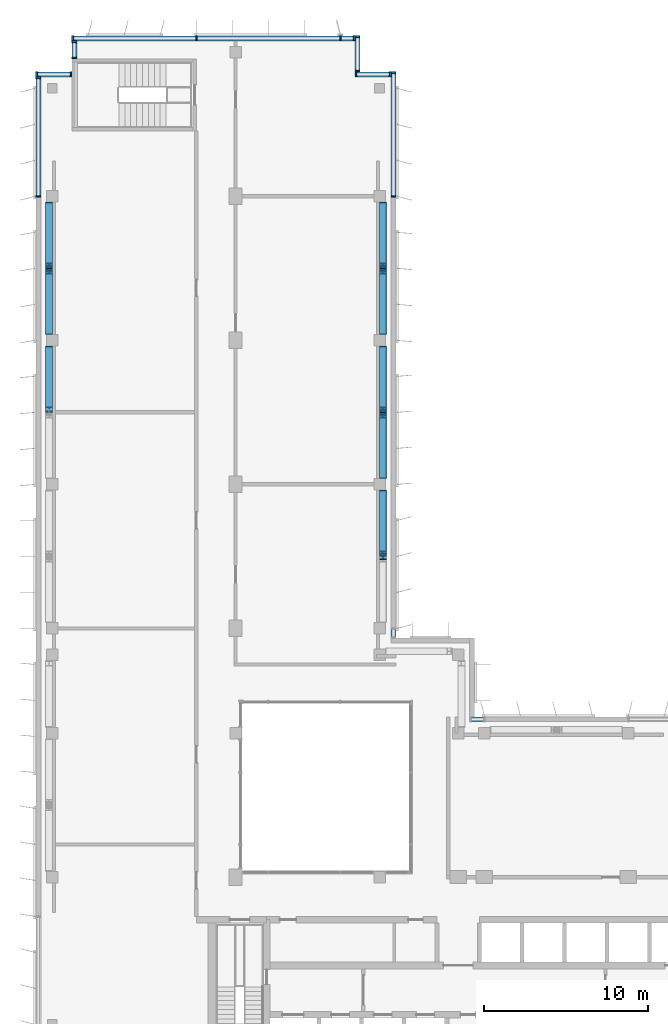
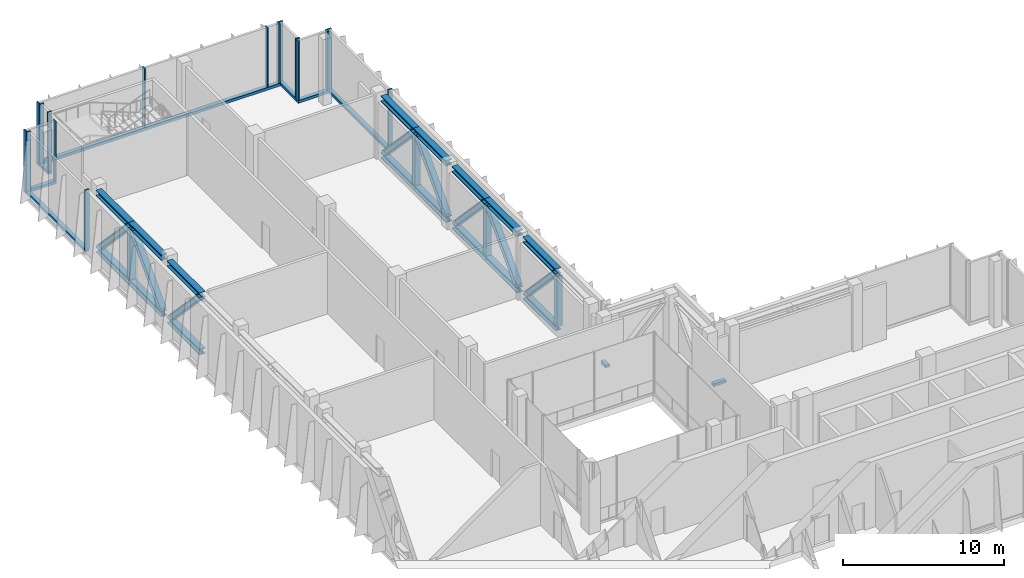
# One storey, part 6 of 14: 37 members, 16 beams, 9 elements without a shape of their own.
"""IFC4 building model written with IfcOpenShell, lengths in metres."""

from ifc_helpers import new_model, si_unit, direction, frame, origin, origin_2d, place, context, subcontext, project, spatial, rectangle, i_section, extrude, source, transform, mapped, material, material_profile, profile_set, type_object, element, aggregate, save


model = new_model("IFC4")

# Units and contexts
model_context = context("Model", 3, precision=1e-05, world=origin(), true_north=direction((0.0, 1.0)))
body_context = subcontext(model_context, "Body", "Model", "MODEL_VIEW")
ifc_project = project(units=[si_unit("LENGTHUNIT", "METRE"), si_unit("AREAUNIT", "SQUARE_METRE"), si_unit("VOLUMEUNIT", "CUBIC_METRE"), si_unit("PLANEANGLEUNIT", "RADIAN"), si_unit("MASSUNIT", "GRAM", prefix="KILO")], contexts=[model_context])

# Site, building, storey
site_placement = place(None, origin())
site = spatial("IfcSite", under=ifc_project, at=site_placement, CompositionType="ELEMENT")
building_placement = place(site_placement, origin())
building = spatial("IfcBuilding", under=site, at=building_placement, Name="Kemantara Hotel Tower", CompositionType="ELEMENT")
storey_placement = place(building_placement, frame((0.0, 0.0, 309.199951171875)))
storey = spatial("IfcBuildingStorey", under=building, at=storey_placement, Name="L78", CompositionType="ELEMENT", Elevation=309.199951171875)

# Curtain wall, member
ifc_material_1 = material(Name="Aluminium 6063-T6 bronze anodised", Category="aluminium")
curtain_wall_type = type_object("IfcCurtainWallType", Name="CROWN LOUVRE SCREEN WALL", PredefinedType="USERDEFINED", material=ifc_material_1)
curtain_wall_1_placement = place(storey_placement, origin())
curtain_wall_1 = element("IfcCurtainWall", 1, at=curtain_wall_1_placement, inside=storey, type_object=curtain_wall_type, Name="CW7 L78 CRN-R02-1", ObjectType="CROWN LOUVRE SCREEN WALL", PredefinedType="USERDEFINED")
ifc_material_profile_1 = material_profile(ifc_material_1, rectangle(XDim=0.300048828125, YDim=0.199951171875, at=origin_2d()), Name="CROWN LOUVRE SCREEN WALL TRANSOM")
ifc_profile_set_1 = profile_set([ifc_material_profile_1], Name="Aluminium 6063-T6 bronze anodised")
member_type_1 = type_object("IfcMemberType", Name="CROWN LOUVRE SCREEN WALL TRANSOM", PredefinedType="USERDEFINED", material=ifc_profile_set_1)
member_1_placement = place(storey_placement, frame((19.5, 63.449951171875, 0.10009765625), z_axis=(-1.0, 0.0, 0.0), x_axis=(0.0, -1.0, 0.0)))
member_1 = element("IfcMember", 2, at=member_1_placement, type_object=member_type_1, Name="CW7 sill transom CRN-R02-1", ObjectType="TRANSOM", PredefinedType="USERDEFINED", context=body_context, shape_type="SweptSolid", body=[
    extrude(rectangle(XDim=0.300048828125, YDim=0.199951171875, at=origin_2d()), origin(), (0.0, 0.0, 1.0), 17.300048828125),
])

curtain_wall_2_placement = place(storey_placement, origin())
curtain_wall_2 = element("IfcCurtainWall", 3, at=curtain_wall_2_placement, inside=storey, type_object=curtain_wall_type, Name="CW7 L78 CRN-R05-1", ObjectType="CROWN LOUVRE SCREEN WALL", PredefinedType="USERDEFINED")
member_2_placement = place(storey_placement, frame((0.14990234375, 61.10009765625, 0.10009765625), z_axis=(0.0, -1.0, 0.0), x_axis=(1.0, 0.0, 0.0)))
member_2 = element("IfcMember", 4, at=member_2_placement, type_object=member_type_1, Name="CW7 sill transom CRN-R05-1", ObjectType="TRANSOM", PredefinedType="USERDEFINED", context=body_context, shape_type="SweptSolid", body=[
    extrude(rectangle(XDim=0.300048828125, YDim=0.199951171875, at=origin_2d()), origin(), (0.0, 0.0, 1.0), 7.300048828125),
])

curtain_wall_3_placement = place(storey_placement, origin())
curtain_wall_3 = element("IfcCurtainWall", 5, at=curtain_wall_3_placement, inside=storey, type_object=curtain_wall_type, Name="CW7 L78 CRN-R12-2", ObjectType="CROWN LOUVRE SCREEN WALL", PredefinedType="USERDEFINED")
member_3_placement = place(storey_placement, frame((27.39990234375, 21.85009765625, 0.10009765625), z_axis=(-1.0, 0.0, 0.0), x_axis=(0.0, -1.0, 0.0)))
member_3 = element("IfcMember", 6, at=member_3_placement, type_object=member_type_1, Name="CW7 sill transom CRN-R12-2", ObjectType="TRANSOM", PredefinedType="USERDEFINED", context=body_context, shape_type="SweptSolid", body=[
    extrude(rectangle(XDim=0.300048828125, YDim=0.199951171875, at=origin_2d()), origin(), (0.0, 0.0, 1.0), 0.89990234375),
])
aggregate(curtain_wall_3, [member_3])

curtain_wall_4_placement = place(storey_placement, origin())
curtain_wall_4 = element("IfcCurtainWall", 7, at=curtain_wall_4_placement, inside=storey, type_object=curtain_wall_type, Name="CW7 L78 CRN-R15-1", ObjectType="CROWN LOUVRE SCREEN WALL", PredefinedType="USERDEFINED")
member_4_placement = place(storey_placement, frame((21.85009765625, 26.800048828125, 0.10009765625), z_axis=(0.0, 1.0, 0.0), x_axis=(-1.0, 0.0, 0.0)))
member_4 = element("IfcMember", 8, at=member_4_placement, type_object=member_type_1, Name="CW7 sill transom CRN-R15-1", ObjectType="TRANSOM", PredefinedType="USERDEFINED", context=body_context, shape_type="SweptSolid", body=[
    extrude(rectangle(XDim=0.300048828125, YDim=0.199951171875, at=origin_2d()), origin(), (0.0, 0.0, 1.0), 0.599853515625),
])
aggregate(curtain_wall_4, [member_4])

curtain_wall_5_placement = place(storey_placement, origin())
curtain_wall_5 = element("IfcCurtainWall", 9, at=curtain_wall_5_placement, inside=storey, type_object=curtain_wall_type, Name="CW7 L78 CRN-R15-2", ObjectType="CROWN LOUVRE SCREEN WALL", PredefinedType="USERDEFINED")
member_5_placement = place(storey_placement, frame((21.85009765625, 53.800048828125, 0.10009765625), z_axis=(0.0, 1.0, 0.0), x_axis=(-1.0, 0.0, 0.0)))
member_5 = element("IfcMember", 10, at=member_5_placement, type_object=member_type_1, Name="CW7 sill transom CRN-R15-2", ObjectType="TRANSOM", PredefinedType="USERDEFINED", context=body_context, shape_type="SweptSolid", body=[
    extrude(rectangle(XDim=0.300048828125, YDim=0.199951171875, at=origin_2d()), origin(), (0.0, 0.0, 1.0), 7.599853515625),
])

curtain_wall_6_placement = place(storey_placement, origin())
curtain_wall_6 = element("IfcCurtainWall", 11, at=curtain_wall_6_placement, inside=storey, type_object=curtain_wall_type, Name="CW7 L78 CRN-R00-1", ObjectType="CROWN LOUVRE SCREEN WALL", PredefinedType="USERDEFINED")
member_6_placement = place(storey_placement, frame((21.699951171875, 61.25, 0.10009765625), z_axis=(-1.0, 0.0, 0.0), x_axis=(0.0, -1.0, 0.0)))
member_6 = element("IfcMember", 12, at=member_6_placement, type_object=member_type_1, Name="CW7 sill transom CRN-R00-1", ObjectType="TRANSOM", PredefinedType="USERDEFINED", context=body_context, shape_type="SweptSolid", body=[
    extrude(rectangle(XDim=0.300048828125, YDim=0.199951171875, at=origin_2d()), origin(), (0.0, 0.0, 1.0), 2.199951171875),
])

curtain_wall_7_placement = place(storey_placement, origin())
curtain_wall_7 = element("IfcCurtainWall", 13, at=curtain_wall_7_placement, inside=storey, type_object=curtain_wall_type, Name="CW7 L78 CRN-R01-1", ObjectType="CROWN LOUVRE SCREEN WALL", PredefinedType="USERDEFINED")
member_7_placement = place(storey_placement, frame((19.64990234375, 61.39990234375, 0.10009765625), z_axis=(0.0, 1.0, 0.0), x_axis=(-1.0, 0.0, 0.0)))
member_7 = element("IfcMember", 14, at=member_7_placement, type_object=member_type_1, Name="CW7 sill transom CRN-R01-1", ObjectType="TRANSOM", PredefinedType="USERDEFINED", context=body_context, shape_type="SweptSolid", body=[
    extrude(rectangle(XDim=0.300048828125, YDim=0.199951171875, at=origin_2d()), origin(), (0.0, 0.0, 1.0), 2.2001953125),
])

curtain_wall_8_placement = place(storey_placement, origin())
curtain_wall_8 = element("IfcCurtainWall", 15, at=curtain_wall_8_placement, inside=storey, type_object=curtain_wall_type, Name="CW7 L78 CRN-R03-1", ObjectType="CROWN LOUVRE SCREEN WALL", PredefinedType="USERDEFINED")
member_8_placement = place(storey_placement, frame((2.35009765625, 63.300048828125, 0.10009765625), z_axis=(0.0, -1.0, 0.0), x_axis=(1.0, 0.0, 0.0)))
member_8 = element("IfcMember", 16, at=member_8_placement, type_object=member_type_1, Name="CW7 sill transom CRN-R03-1", ObjectType="TRANSOM", PredefinedType="USERDEFINED", context=body_context, shape_type="SweptSolid", body=[
    extrude(rectangle(XDim=0.300048828125, YDim=0.199951171875, at=origin_2d()), origin(), (0.0, 0.0, 1.0), 1.10009765625),
])

curtain_wall_9_placement = place(storey_placement, origin())
curtain_wall_9 = element("IfcCurtainWall", 17, at=curtain_wall_9_placement, inside=storey, type_object=curtain_wall_type, Name="CW7 L78 CRN-R04-1", ObjectType="CROWN LOUVRE SCREEN WALL", PredefinedType="USERDEFINED")
member_9_placement = place(storey_placement, frame((2.199951171875, 61.25, 0.10009765625), z_axis=(-1.0, 0.0, 0.0), x_axis=(0.0, -1.0, 0.0)))
member_9 = element("IfcMember", 18, at=member_9_placement, type_object=member_type_1, Name="CW7 sill transom CRN-R04-1", ObjectType="TRANSOM", PredefinedType="USERDEFINED", context=body_context, shape_type="SweptSolid", body=[
    extrude(rectangle(XDim=0.300048828125, YDim=0.199951171875, at=origin_2d()), origin(), (0.0, 0.0, 1.0), 2.199951171875),
])

# Beams
ifc_material_2 = material(Name="Steel ASTM A992 Grade 50", Category="steel")
ifc_material_profile_2 = material_profile(ifc_material_2, i_section(OverallWidth=0.410888671875, OverallDepth=0.43408203125, WebThickness=0.035888671875, FlangeThickness=0.057373046875, at=origin_2d()), Name="W360X463")
ifc_profile_set_2 = profile_set([ifc_material_profile_2], Name="Steel ASTM A992 Grade 50")
beam_type = type_object("IfcBeamType", Name="TOP L78 TRUSS CHORD W360X463", PredefinedType="BEAM", material=ifc_profile_set_2)
for number, where, z_axis, x_axis, name in (
    (19, (0.800048828125, 40.60009765625, 0.217041015625), (0.0, 1.0, 0.0), (-1.0, 0.0, 0.0), "TOP L78 BAY 5 bottom chord 2"),
    (20, (0.800048828125, 40.60009765625, 4.483154296875), (0.0, 1.0, 0.0), (-1.0, 0.0, 0.0), "TOP L78 BAY 5 top chord 2"),
    (21, (0.800048828125, 45.35009765625, 0.217041015625), (0.0, 1.0, 0.0), (-1.0, 0.0, 0.0), "TOP L78 BAY 6 bottom chord 1"),
):
    element("IfcBeam", number, at=place(storey_placement, frame(where, z_axis=z_axis, x_axis=x_axis)), inside=storey, type_object=beam_type, Name=name, PredefinedType="BEAM", context=body_context, shape_type="SweptSolid", body=[
        extrude(i_section(OverallWidth=0.410888671875, OverallDepth=0.43408203125, WebThickness=0.035888671875, FlangeThickness=0.057373046875, at=origin_2d()), origin(), (0.0, 0.0, 1.0), 4.0498046875),
    ])
beam_1_placement = place(storey_placement, frame((0.800048828125, 49.39990234375, 0.217041015625), z_axis=(0.0, 1.0, 0.0), x_axis=(-1.0, 0.0, 0.0)))
element("IfcBeam", 22, at=beam_1_placement, inside=storey, type_object=beam_type, Name="TOP L78 BAY 6 bottom chord 2", PredefinedType="BEAM", context=body_context, shape_type="SweptSolid", body=[
    extrude(i_section(OverallWidth=0.410888671875, OverallDepth=0.43408203125, WebThickness=0.035888671875, FlangeThickness=0.057373046875, at=origin_2d()), origin(), (0.0, 0.0, 1.0), 4.050048828125),
])
beam_2_placement = place(storey_placement, frame((0.800048828125, 45.35009765625, 4.483154296875), z_axis=(0.0, 1.0, 0.0), x_axis=(-1.0, 0.0, 0.0)))
element("IfcBeam", 23, at=beam_2_placement, inside=storey, type_object=beam_type, Name="TOP L78 BAY 6 top chord 1", PredefinedType="BEAM", context=body_context, shape_type="SweptSolid", body=[
    extrude(i_section(OverallWidth=0.410888671875, OverallDepth=0.43408203125, WebThickness=0.035888671875, FlangeThickness=0.057373046875, at=origin_2d()), origin(), (0.0, 0.0, 1.0), 4.0498046875),
])
for number, where, z_axis, x_axis, name in (
    (24, (0.800048828125, 49.39990234375, 4.483154296875), (0.0, 1.0, 0.0), (-1.0, 0.0, 0.0), "TOP L78 BAY 6 top chord 2"),
    (25, (21.199951171875, 31.800048828125, 0.217041015625), (0.0, 1.0, 0.0), (-1.0, 0.0, 0.0), "TOP L78 BAY 8 bottom chord 2"),
    (26, (21.199951171875, 31.800048828125, 4.483154296875), (0.0, 1.0, 0.0), (-1.0, 0.0, 0.0), "TOP L78 BAY 8 top chord 2"),
    (27, (21.199951171875, 36.550048828125, 0.217041015625), (0.0, 1.0, 0.0), (-1.0, 0.0, 0.0), "TOP L78 BAY 9 bottom chord 1"),
):
    element("IfcBeam", number, at=place(storey_placement, frame(where, z_axis=z_axis, x_axis=x_axis)), inside=storey, type_object=beam_type, Name=name, PredefinedType="BEAM", context=body_context, shape_type="SweptSolid", body=[
        extrude(i_section(OverallWidth=0.410888671875, OverallDepth=0.43408203125, WebThickness=0.035888671875, FlangeThickness=0.057373046875, at=origin_2d()), origin(), (0.0, 0.0, 1.0), 4.050048828125),
    ])
beam_3_placement = place(storey_placement, frame((21.199951171875, 40.60009765625, 0.217041015625), z_axis=(0.0, 1.0, 0.0), x_axis=(-1.0, 0.0, 0.0)))
element("IfcBeam", 28, at=beam_3_placement, inside=storey, type_object=beam_type, Name="TOP L78 BAY 9 bottom chord 2", PredefinedType="BEAM", context=body_context, shape_type="SweptSolid", body=[
    extrude(i_section(OverallWidth=0.410888671875, OverallDepth=0.43408203125, WebThickness=0.035888671875, FlangeThickness=0.057373046875, at=origin_2d()), origin(), (0.0, 0.0, 1.0), 4.0498046875),
])
beam_4_placement = place(storey_placement, frame((21.199951171875, 36.550048828125, 4.483154296875), z_axis=(0.0, 1.0, 0.0), x_axis=(-1.0, 0.0, 0.0)))
element("IfcBeam", 29, at=beam_4_placement, inside=storey, type_object=beam_type, Name="TOP L78 BAY 9 top chord 1", PredefinedType="BEAM", context=body_context, shape_type="SweptSolid", body=[
    extrude(i_section(OverallWidth=0.410888671875, OverallDepth=0.43408203125, WebThickness=0.035888671875, FlangeThickness=0.057373046875, at=origin_2d()), origin(), (0.0, 0.0, 1.0), 4.050048828125),
])
for number, where, z_axis, x_axis, name in (
    (30, (21.199951171875, 40.60009765625, 4.483154296875), (0.0, 1.0, 0.0), (-1.0, 0.0, 0.0), "TOP L78 BAY 9 top chord 2"),
    (31, (21.199951171875, 45.35009765625, 0.217041015625), (0.0, 1.0, 0.0), (-1.0, 0.0, 0.0), "TOP L78 BAY 10 bottom chord 1"),
):
    element("IfcBeam", number, at=place(storey_placement, frame(where, z_axis=z_axis, x_axis=x_axis)), inside=storey, type_object=beam_type, Name=name, PredefinedType="BEAM", context=body_context, shape_type="SweptSolid", body=[
        extrude(i_section(OverallWidth=0.410888671875, OverallDepth=0.43408203125, WebThickness=0.035888671875, FlangeThickness=0.057373046875, at=origin_2d()), origin(), (0.0, 0.0, 1.0), 4.0498046875),
    ])
beam_5_placement = place(storey_placement, frame((21.199951171875, 49.39990234375, 0.217041015625), z_axis=(0.0, 1.0, 0.0), x_axis=(-1.0, 0.0, 0.0)))
element("IfcBeam", 32, at=beam_5_placement, inside=storey, type_object=beam_type, Name="TOP L78 BAY 10 bottom chord 2", PredefinedType="BEAM", context=body_context, shape_type="SweptSolid", body=[
    extrude(i_section(OverallWidth=0.410888671875, OverallDepth=0.43408203125, WebThickness=0.035888671875, FlangeThickness=0.057373046875, at=origin_2d()), origin(), (0.0, 0.0, 1.0), 4.050048828125),
])
beam_6_placement = place(storey_placement, frame((21.199951171875, 45.35009765625, 4.483154296875), z_axis=(0.0, 1.0, 0.0), x_axis=(-1.0, 0.0, 0.0)))
element("IfcBeam", 33, at=beam_6_placement, inside=storey, type_object=beam_type, Name="TOP L78 BAY 10 top chord 1", PredefinedType="BEAM", context=body_context, shape_type="SweptSolid", body=[
    extrude(i_section(OverallWidth=0.410888671875, OverallDepth=0.43408203125, WebThickness=0.035888671875, FlangeThickness=0.057373046875, at=origin_2d()), origin(), (0.0, 0.0, 1.0), 4.0498046875),
])
beam_7_placement = place(storey_placement, frame((21.199951171875, 49.39990234375, 4.483154296875), z_axis=(0.0, 1.0, 0.0), x_axis=(-1.0, 0.0, 0.0)))
element("IfcBeam", 34, at=beam_7_placement, inside=storey, type_object=beam_type, Name="TOP L78 BAY 10 top chord 2", PredefinedType="BEAM", context=body_context, shape_type="SweptSolid", body=[
    extrude(i_section(OverallWidth=0.410888671875, OverallDepth=0.43408203125, WebThickness=0.035888671875, FlangeThickness=0.057373046875, at=origin_2d()), origin(), (0.0, 0.0, 1.0), 4.050048828125),
])

# Members
ifc_material_profile_3 = material_profile(ifc_material_2, i_section(OverallWidth=0.404052734375, OverallDepth=0.406005859375, WebThickness=0.027099609375, FlangeThickness=0.043701171875, at=origin_2d()), Name="W360X347")
ifc_profile_set_3 = profile_set([ifc_material_profile_3], Name="Steel ASTM A992 Grade 50")
member_type_2 = type_object("IfcMemberType", Name="TOP L78 TRUSS DIAGONAL W360X347", PredefinedType="BRACE", material=ifc_profile_set_3)
for number, where, z_axis, x_axis, name in (
    (35, (0.800048828125, 44.458984375, 0.418212890625), (0.0, -0.688514566613, 0.725222511758), (1.0, 0.0, 0.0), "TOP L78 BAY 5 diagonal 2"),
    (36, (0.800048828125, 45.541015625, 0.418212890625), (0.0, 0.688514566613, 0.725222511758), (-1.0, 0.0, 0.0), "TOP L78 BAY 6 diagonal 1"),
    (37, (0.800048828125, 53.259033203125, 0.418212890625), (0.0, -0.688514566613, 0.725222511758), (1.0, 0.0, 0.0), "TOP L78 BAY 6 diagonal 2"),
    (38, (21.199951171875, 35.658935546875, 0.418212890625), (0.0, -0.688514566613, 0.725222511758), (1.0, 0.0, 0.0), "TOP L78 BAY 8 diagonal 2"),
    (39, (21.199951171875, 36.740966796875, 0.418212890625), (0.0, 0.688514566613, 0.725222511758), (-1.0, 0.0, 0.0), "TOP L78 BAY 9 diagonal 1"),
    (40, (21.199951171875, 44.458984375, 0.418212890625), (0.0, -0.688514566613, 0.725222511758), (1.0, 0.0, 0.0), "TOP L78 BAY 9 diagonal 2"),
    (41, (21.199951171875, 45.541015625, 0.418212890625), (0.0, 0.688514566613, 0.725222511758), (-1.0, 0.0, 0.0), "TOP L78 BAY 10 diagonal 1"),
    (42, (21.199951171875, 53.259033203125, 0.418212890625), (0.0, -0.688514566613, 0.725222511758), (1.0, 0.0, 0.0), "TOP L78 BAY 10 diagonal 2"),
):
    element("IfcMember", number, at=place(storey_placement, frame(where, z_axis=z_axis, x_axis=x_axis)), inside=storey, type_object=member_type_2, Name=name, PredefinedType="BRACE", context=body_context, shape_type="SweptSolid", body=[
        extrude(i_section(OverallWidth=0.404052734375, OverallDepth=0.406005859375, WebThickness=0.027099609375, FlangeThickness=0.043701171875, at=origin_2d()), origin(), (0.0, 0.0, 1.0), 5.327392578125),
    ])
ifc_material_profile_4 = material_profile(ifc_material_2, i_section(OverallWidth=0.39892578125, OverallDepth=0.385986328125, WebThickness=0.02099609375, FlangeThickness=0.033203125, at=origin_2d()), Name="W360X262")
ifc_profile_set_4 = profile_set([ifc_material_profile_4], Name="Steel ASTM A992 Grade 50")
member_type_3 = type_object("IfcMemberType", Name="TOP L78 TRUSS POST W360X262", PredefinedType="POST", material=ifc_profile_set_4)
for number, where, z_axis, x_axis, name in (
    (43, (0.800048828125, 49.39990234375, 0.43408203125), (0.0, 0.0, 1.0), (1.0, 0.0, 0.0), "TOP L78 BAY 6 post 2"),
    (44, (21.199951171875, 31.800048828125, 0.43408203125), (0.0, 0.0, 1.0), (1.0, 0.0, 0.0), "TOP L78 BAY 8 post 2"),
    (45, (21.199951171875, 40.60009765625, 0.43408203125), (0.0, 0.0, 1.0), (1.0, 0.0, 0.0), "TOP L78 BAY 9 post 2"),
    (46, (21.199951171875, 49.39990234375, 0.43408203125), (0.0, 0.0, 1.0), (1.0, 0.0, 0.0), "TOP L78 BAY 10 post 2"),
):
    element("IfcMember", number, at=place(storey_placement, frame(where, z_axis=z_axis, x_axis=x_axis)), inside=storey, type_object=member_type_3, Name=name, PredefinedType="POST", context=body_context, shape_type="SweptSolid", body=[
        extrude(i_section(OverallWidth=0.39892578125, OverallDepth=0.385986328125, WebThickness=0.02099609375, FlangeThickness=0.033203125, at=origin_2d()), origin(), (0.0, 0.0, 1.0), 3.83203125),
    ])

# Member
ifc_material_profile_5 = material_profile(ifc_material_1, rectangle(XDim=0.300048828125, YDim=0.10009765625, at=origin_2d()), Name="CROWN LOUVRE SCREEN WALL MULLION")
ifc_profile_set_5 = profile_set([ifc_material_profile_5], Name="Aluminium 6063-T6 bronze anodised")
member_type_4 = type_object("IfcMemberType", Name="CROWN LOUVRE SCREEN WALL MULLION", PredefinedType="MULLION", material=ifc_profile_set_5)
shared_shape = source(origin(), body_context, "Body", "SweptSolid", [
    extrude(rectangle(XDim=0.300048828125, YDim=0.10009765625, at=origin_2d()), origin(), (0.0, 0.0, 1.0), 4.5),
])
member_10_placement = place(storey_placement, frame((19.449951171875, 63.449951171875, 0.199951171875), z_axis=(0.0, 0.0, 1.0), x_axis=(0.0, -1.0, 0.0)))
member_10 = element("IfcMember", 47, at=member_10_placement, type_object=member_type_4, Name="CW7 mullion CRN-R02-1.1", PredefinedType="MULLION", context=body_context, shape_type="MappedRepresentation", body=[
    mapped(shared_shape, transform((0.0, 0.0, 0.0))),
])

member_11_placement = place(storey_placement, frame((18.60009765625, 63.449951171875, 0.199951171875), z_axis=(0.0, 0.0, 1.0), x_axis=(0.0, -1.0, 0.0)))
member_11 = element("IfcMember", 48, at=member_11_placement, type_object=member_type_4, Name="CW7 mullion CRN-R02-1.2", PredefinedType="MULLION", context=body_context, shape_type="MappedRepresentation", body=[
    mapped(shared_shape, transform((0.0, 0.0, 0.0))),
])

member_12_placement = place(storey_placement, frame((9.800048828125, 63.449951171875, 0.199951171875), z_axis=(0.0, 0.0, 1.0), x_axis=(0.0, -1.0, 0.0)))
member_12 = element("IfcMember", 49, at=member_12_placement, type_object=member_type_4, Name="CW7 mullion CRN-R02-1.3", PredefinedType="MULLION", context=body_context, shape_type="MappedRepresentation", body=[
    mapped(shared_shape, transform((0.0, 0.0, 0.0))),
])

member_13_placement = place(storey_placement, frame((2.25, 63.449951171875, 0.199951171875), z_axis=(0.0, 0.0, 1.0), x_axis=(0.0, -1.0, 0.0)))
member_13 = element("IfcMember", 50, at=member_13_placement, type_object=member_type_4, Name="CW7 mullion CRN-R02-1.4", PredefinedType="MULLION", context=body_context, shape_type="MappedRepresentation", body=[
    mapped(shared_shape, transform((0.0, 0.0, 0.0))),
])

aggregate(curtain_wall_1, [member_1, member_10, member_11, member_12, member_13])

member_14_placement = place(storey_placement, frame((0.14990234375, 61.050048828125, 0.199951171875), z_axis=(0.0, 0.0, 1.0), x_axis=(1.0, 0.0, 0.0)))
member_14 = element("IfcMember", 51, at=member_14_placement, type_object=member_type_4, Name="CW7 mullion CRN-R05-1.1", PredefinedType="MULLION", context=body_context, shape_type="MappedRepresentation", body=[
    mapped(shared_shape, transform((0.0, 0.0, 0.0))),
])

member_15_placement = place(storey_placement, frame((0.14990234375, 53.800048828125, 0.199951171875), z_axis=(0.0, 0.0, 1.0), x_axis=(1.0, 0.0, 0.0)))
member_15 = element("IfcMember", 52, at=member_15_placement, type_object=member_type_4, Name="CW7 mullion CRN-R05-1.2", PredefinedType="MULLION", context=body_context, shape_type="MappedRepresentation", body=[
    mapped(shared_shape, transform((0.0, 0.0, 0.0))),
])

aggregate(curtain_wall_2, [member_2, member_14, member_15])

member_16_placement = place(storey_placement, frame((21.85009765625, 53.800048828125, 0.199951171875), z_axis=(0.0, 0.0, 1.0), x_axis=(-1.0, 0.0, 0.0)))
member_16 = element("IfcMember", 53, at=member_16_placement, type_object=member_type_4, Name="CW7 mullion CRN-R15-2.1", PredefinedType="MULLION", context=body_context, shape_type="MappedRepresentation", body=[
    mapped(shared_shape, transform((0.0, 0.0, 0.0))),
])

member_17_placement = place(storey_placement, frame((21.85009765625, 61.35009765625, 0.199951171875), z_axis=(0.0, 0.0, 1.0), x_axis=(-1.0, 0.0, 0.0)))
member_17 = element("IfcMember", 54, at=member_17_placement, type_object=member_type_4, Name="CW7 mullion CRN-R15-2.2", PredefinedType="MULLION", context=body_context, shape_type="MappedRepresentation", body=[
    mapped(shared_shape, transform((0.0, 0.0, 0.0))),
])

aggregate(curtain_wall_5, [member_5, member_16, member_17])

member_18_placement = place(storey_placement, frame((21.64990234375, 61.25, 0.199951171875), z_axis=(0.0, 0.0, 1.0), x_axis=(0.0, -1.0, 0.0)))
member_18 = element("IfcMember", 55, at=member_18_placement, type_object=member_type_4, Name="CW7 mullion CRN-R00-1.1", PredefinedType="MULLION", context=body_context, shape_type="MappedRepresentation", body=[
    mapped(shared_shape, transform((0.0, 0.0, 0.0))),
])

member_19_placement = place(storey_placement, frame((19.550048828125, 61.25, 0.199951171875), z_axis=(0.0, 0.0, 1.0), x_axis=(0.0, -1.0, 0.0)))
member_19 = element("IfcMember", 56, at=member_19_placement, type_object=member_type_4, Name="CW7 mullion CRN-R00-1.2", PredefinedType="MULLION", context=body_context, shape_type="MappedRepresentation", body=[
    mapped(shared_shape, transform((0.0, 0.0, 0.0))),
])

aggregate(curtain_wall_6, [member_6, member_18, member_19])

member_20_placement = place(storey_placement, frame((19.64990234375, 61.449951171875, 0.199951171875), z_axis=(0.0, 0.0, 1.0), x_axis=(-1.0, 0.0, 0.0)))
member_20 = element("IfcMember", 57, at=member_20_placement, type_object=member_type_4, Name="CW7 mullion CRN-R01-1.1", PredefinedType="MULLION", context=body_context, shape_type="MappedRepresentation", body=[
    mapped(shared_shape, transform((0.0, 0.0, 0.0))),
])

member_21_placement = place(storey_placement, frame((19.64990234375, 63.550048828125, 0.199951171875), z_axis=(0.0, 0.0, 1.0), x_axis=(-1.0, 0.0, 0.0)))
member_21 = element("IfcMember", 58, at=member_21_placement, type_object=member_type_4, Name="CW7 mullion CRN-R01-1.2", PredefinedType="MULLION", context=body_context, shape_type="MappedRepresentation", body=[
    mapped(shared_shape, transform((0.0, 0.0, 0.0))),
])

aggregate(curtain_wall_7, [member_7, member_20, member_21])

member_22_placement = place(storey_placement, frame((2.35009765625, 63.25, 0.199951171875), z_axis=(0.0, 0.0, 1.0), x_axis=(1.0, 0.0, 0.0)))
member_22 = element("IfcMember", 59, at=member_22_placement, type_object=member_type_4, Name="CW7 mullion CRN-R03-1.1", PredefinedType="MULLION", context=body_context, shape_type="MappedRepresentation", body=[
    mapped(shared_shape, transform((0.0, 0.0, 0.0))),
])

member_23_placement = place(storey_placement, frame((2.35009765625, 62.25, 0.199951171875), z_axis=(0.0, 0.0, 1.0), x_axis=(1.0, 0.0, 0.0)))
member_23 = element("IfcMember", 60, at=member_23_placement, type_object=member_type_4, Name="CW7 mullion CRN-R03-1.2", PredefinedType="MULLION", context=body_context, shape_type="MappedRepresentation", body=[
    mapped(shared_shape, transform((0.0, 0.0, 0.0))),
])

aggregate(curtain_wall_8, [member_8, member_22, member_23])

member_24_placement = place(storey_placement, frame((2.14990234375, 61.25, 0.199951171875), z_axis=(0.0, 0.0, 1.0), x_axis=(0.0, -1.0, 0.0)))
member_24 = element("IfcMember", 61, at=member_24_placement, type_object=member_type_4, Name="CW7 mullion CRN-R04-1.1", PredefinedType="MULLION", context=body_context, shape_type="MappedRepresentation", body=[
    mapped(shared_shape, transform((0.0, 0.0, 0.0))),
])

member_25_placement = place(storey_placement, frame((0.050048828125, 61.25, 0.199951171875), z_axis=(0.0, 0.0, 1.0), x_axis=(0.0, -1.0, 0.0)))
member_25 = element("IfcMember", 62, at=member_25_placement, type_object=member_type_4, Name="CW7 mullion CRN-R04-1.2", PredefinedType="MULLION", context=body_context, shape_type="MappedRepresentation", body=[
    mapped(shared_shape, transform((0.0, 0.0, 0.0))),
])

aggregate(curtain_wall_9, [member_9, member_24, member_25])

save(model, "model.ifc")
